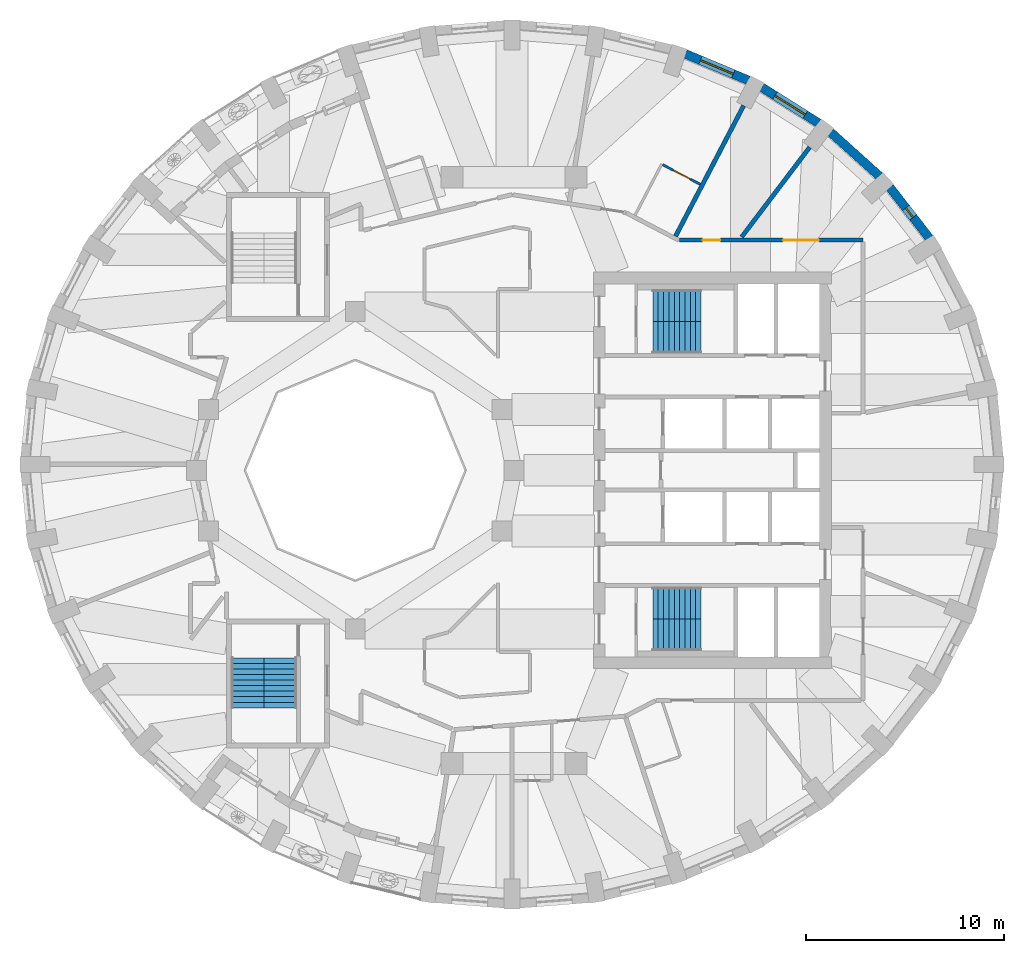
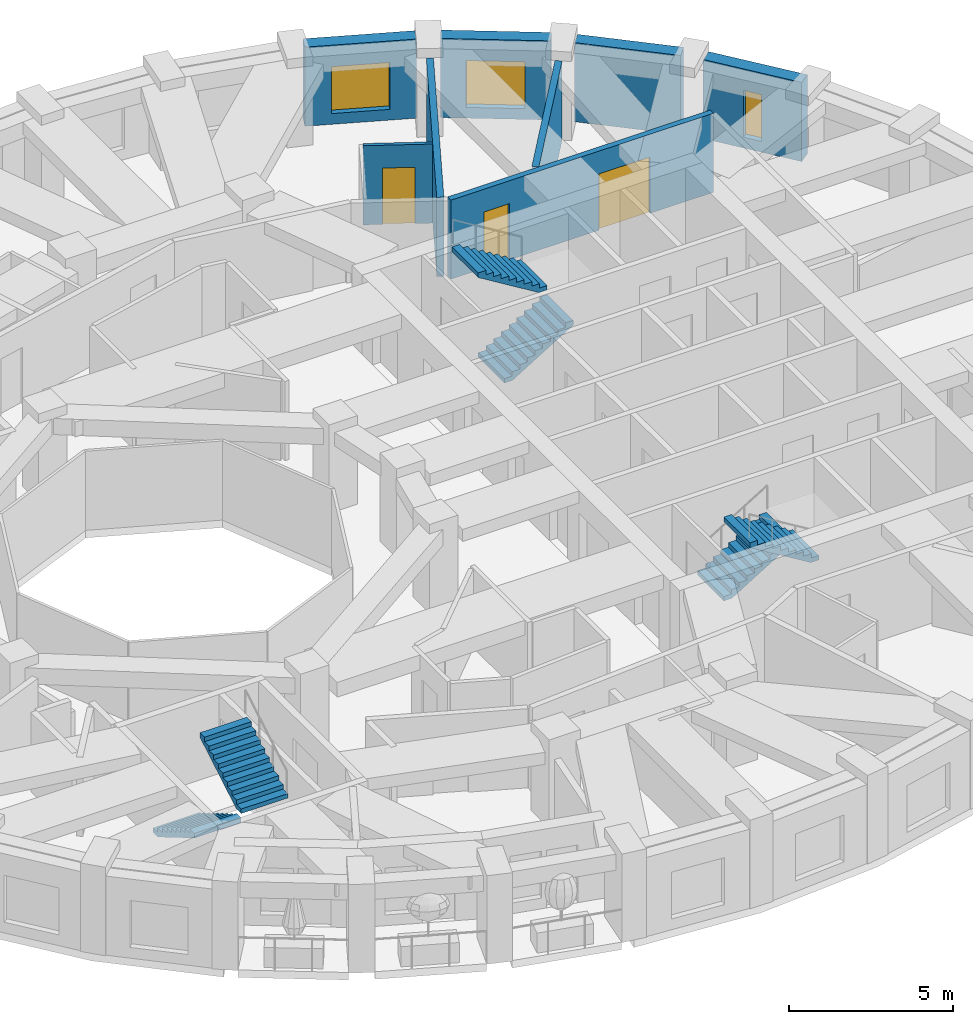
# One storey, part 8 of 12: 8 walls, 6 stair flights, 3 doors, 3 windows, 6 openings, 3 elements without a shape of their own.
"""IFC4 building model written with IfcOpenShell, lengths in metres."""

import ifcopenshell
import ifcopenshell.guid

model = None  # the IFC model being written
_history = None  # IfcOwnerHistory: only IFC2X3 demands one
_inside = {}  # id of a spatial element -> (the spatial element, [elements in it])
_under = {}  # id of a project, library or spatial element -> (it, [spatial elements below it])
_declared = {}  # id of a project -> (the project, [libraries it declares])
_typed = {}  # id of a type object -> (the type object, [elements of that type])
_made_of = {}  # id of a material, layer set ... -> (it, [elements and type objects made of it])


def new_model(schema):
    """Start an empty IFC model of exactly this schema.

    Asked for "IFC4X3", IfcOpenShell would pick the latest addendum, in which some entities
    have other attributes; the version numbers below select the first issue.
    IFC2X3 requires an IfcOwnerHistory on every rooted entity: one is made here for all.
    """
    global model, _history
    if schema == "IFC4X3":
        model = ifcopenshell.file(schema_version=(4, 3, 0, 0))
    else:
        model = ifcopenshell.file(schema=schema)
    _inside.clear()
    _under.clear()
    _declared.clear()
    _typed.clear()
    _made_of.clear()
    _history = None
    if model.schema == "IFC2X3":
        org = make("IfcOrganization", Name="unknown")
        user = make(
            "IfcPersonAndOrganization",
            ThePerson=make("IfcPerson", FamilyName="unknown"),
            TheOrganization=org,
        )
        app = make(
            "IfcApplication",
            ApplicationDeveloper=org,
            Version="unknown",
            ApplicationFullName="unknown",
            ApplicationIdentifier="unknown",
        )
        _history = make(
            "IfcOwnerHistory",
            OwningUser=user,
            OwningApplication=app,
            ChangeAction="ADDED",
            CreationDate=0,
        )
    return model


def make(cls, **values):
    """One entity of the class cls with the attributes given. An attribute that is None is left unset."""
    return model.create_entity(
        cls, **{name: value for name, value in values.items() if value is not None}
    )


def rooted(cls, **values):
    """An entity with a GlobalId (a new one), such as an element, a storey or a relation."""
    return make(cls, GlobalId=ifcopenshell.guid.new(), OwnerHistory=_history, **values)


def si_unit(unit_type, name, prefix=None):
    """IfcSIUnit, for example si_unit("LENGTHUNIT", "METRE", prefix="MILLI")."""
    return make("IfcSIUnit", UnitType=unit_type, Prefix=prefix, Name=name)


def assignment(units):
    """IfcUnitAssignment: the units of a project."""
    return None if units is None else make("IfcUnitAssignment", Units=units)


def point(xyz):
    """IfcCartesianPoint."""
    return None if xyz is None else make("IfcCartesianPoint", Coordinates=xyz)


def direction(xyz):
    """IfcDirection."""
    return None if xyz is None else make("IfcDirection", DirectionRatios=xyz)


def frame(location, z_axis=None, x_axis=None):
    """IfcAxis2Placement3D, a coordinate frame: its origin and axes. An axis left out is left unset."""
    return make(
        "IfcAxis2Placement3D",
        Location=point(location),
        Axis=direction(z_axis),
        RefDirection=direction(x_axis),
    )


def frame_2d(location, x_axis=None):
    """IfcAxis2Placement2D, a coordinate frame in the plane: its origin and x axis."""
    return make(
        "IfcAxis2Placement2D", Location=point(location), RefDirection=direction(x_axis)
    )


def origin():
    """The frame at (0, 0, 0) with its axes left unset."""
    return frame((0.0, 0.0, 0.0))


def place(relative_to, where):
    """IfcLocalPlacement: puts the frame where relative to a parent placement (None: the world)."""
    return make(
        "IfcLocalPlacement", PlacementRelTo=relative_to, RelativePlacement=where
    )


def context(
    kind, dimensions, precision=None, world=None, true_north=None, identifier=None
):
    """IfcGeometricRepresentationContext, for example the 3D "Model" context."""
    return make(
        "IfcGeometricRepresentationContext",
        ContextIdentifier=identifier,
        ContextType=kind,
        CoordinateSpaceDimension=dimensions,
        Precision=precision,
        WorldCoordinateSystem=world,
        TrueNorth=true_north,
    )


def subcontext(parent, identifier, kind, view, scale=None):
    """IfcGeometricRepresentationSubContext, for example "Body" below "Model"."""
    return make(
        "IfcGeometricRepresentationSubContext",
        ContextIdentifier=identifier,
        ContextType=kind,
        ParentContext=parent,
        TargetScale=scale,
        TargetView=view,
    )


def project(units=None, contexts=None):
    """IfcProject with its units and contexts."""
    return rooted(
        "IfcProject",
        Name="project",
        RepresentationContexts=contexts,
        UnitsInContext=assignment(units),
    )


def spatial(cls, under=None, at=None, **own):
    """A site, building, storey or space (cls), placed at a placement, below another one or the project."""
    s = rooted(cls, ObjectPlacement=at, **own)
    if under is not None:
        _under.setdefault(under.id(), (under, []))[1].append(s)
    return s


def polyline(points):
    """IfcPolyline through the points."""
    return make("IfcPolyline", Points=[point(p) for p in points])


def profile(cls, at=None, kind="AREA", **sizes):
    """A parametric profile (cls). Its sizes go by their IFC names, for example OverallWidth=200.0."""
    return make(cls, ProfileType=kind, Position=at, **sizes)


def rectangle(**sizes):
    """IfcRectangleProfileDef."""
    return profile("IfcRectangleProfileDef", **sizes)


def outline(outer, holes=None, kind="AREA"):
    """IfcArbitraryClosedProfileDef: a profile drawn as a closed curve; with holes, ...WithVoids."""
    if holes is None:
        return make("IfcArbitraryClosedProfileDef", ProfileType=kind, OuterCurve=outer)
    return make(
        "IfcArbitraryProfileDefWithVoids",
        ProfileType=kind,
        OuterCurve=outer,
        InnerCurves=holes,
    )


def extrude(swept, where, along, depth):
    """IfcExtrudedAreaSolid: the profile swept, set in the frame where, extruded along a direction by depth."""
    return make(
        "IfcExtrudedAreaSolid",
        SweptArea=swept,
        Position=where,
        ExtrudedDirection=direction(along),
        Depth=depth,
    )


def shape(context_of_items, identifier, shape_type, items):
    """IfcShapeRepresentation: the items that make up one representation, for example the "Body"."""
    return make(
        "IfcShapeRepresentation",
        ContextOfItems=context_of_items,
        RepresentationIdentifier=identifier,
        RepresentationType=shape_type,
        Items=items,
    )


def material(Name=None, Category=None):
    """IfcMaterial."""
    return make("IfcMaterial", Name=Name, Category=Category)


def layer(
    of_material, thickness, ventilated=None, Name=None, Category=None, Priority=None
):
    """IfcMaterialLayer: one layer of a wall or slab, of a material (None: an air gap)."""
    return make(
        "IfcMaterialLayer",
        Material=of_material,
        LayerThickness=thickness,
        IsVentilated=ventilated,
        Name=Name,
        Category=Category,
        Priority=Priority,
    )


def layer_set(layers, Name=None):
    """IfcMaterialLayerSet."""
    return make("IfcMaterialLayerSet", MaterialLayers=layers, LayerSetName=Name)


def made_of(thing, what):
    """Note that an element or type object is made of a material, layer set ...; save() writes the relation."""
    if what is not None:
        _made_of.setdefault(what.id(), (what, []))[1].append(thing)
    return thing


def type_object(cls, material=None, **own):
    """A type object (cls), such as IfcWallType, which elements share."""
    return made_of(rooted(cls, **own), material)


def element(
    cls,
    number,
    at=None,
    inside=None,
    cuts=None,
    type_object=None,
    material=None,
    context=None,
    identifier="Body",
    shape_type=None,
    held_by="IfcProductDefinitionShape",
    body=None,
    shapes=None,
    **own,
):
    """One element of the class cls, such as IfcWall. Its Tag is "e" and its number.

    at: its placement. inside: the storey or other place that contains it. cuts: it is an
    opening in that element (IfcRelVoidsElement). A single representation is given by context,
    identifier, shape_type and body (its items); several are given by shapes. held_by: the class
    of the entity that holds the representations. save() writes the other relations.
    """
    e = rooted(cls, Tag="e%d" % number, ObjectPlacement=at, **own)
    if body is not None:
        shapes = [shape(context, identifier, shape_type, body)]
    if shapes is not None:
        e.Representation = make(held_by, Representations=shapes)
    if inside is not None:
        _inside.setdefault(inside.id(), (inside, []))[1].append(e)
    if cuts is not None:
        rooted(
            "IfcRelVoidsElement", RelatingBuildingElement=cuts, RelatedOpeningElement=e
        )
    if type_object is not None:
        _typed.setdefault(type_object.id(), (type_object, []))[1].append(e)
    return made_of(e, material)


def fill(opening, filler):
    """IfcRelFillsElement: the door or window that sits in an opening."""
    return rooted(
        "IfcRelFillsElement",
        RelatingOpeningElement=opening,
        RelatedBuildingElement=filler,
    )


def aggregate(whole, parts):
    """IfcRelAggregates: a whole, such as a stair, and the parts it consists of."""
    return rooted("IfcRelAggregates", RelatingObject=whole, RelatedObjects=parts)


def save(model, path):
    """Write the relations noted so far, then the file.

    IfcRelAggregates (storeys below a building ...), IfcRelContainedInSpatialStructure (elements
    in a storey), IfcRelDefinesByType, IfcRelAssociatesMaterial and IfcRelDeclares: one each for
    every whole, place, type object, material and project.
    """
    for whole, parts in _under.values():
        aggregate(whole, parts)
    for where, things in _inside.values():
        rooted(
            "IfcRelContainedInSpatialStructure",
            RelatedElements=things,
            RelatingStructure=where,
        )
    for kind, things in _typed.values():
        rooted("IfcRelDefinesByType", RelatedObjects=things, RelatingType=kind)
    for what, things in _made_of.values():
        rooted("IfcRelAssociatesMaterial", RelatedObjects=things, RelatingMaterial=what)
    for by, libraries in _declared.values():
        rooted("IfcRelDeclares", RelatingContext=by, RelatedDefinitions=libraries)
    model.write(path)


model = new_model("IFC4")

# Units and contexts
model_context = context("Model", 3, precision=1e-05, world=origin(), true_north=direction((0.0, 1.0)))
body_context = subcontext(model_context, "Body", "Model", "MODEL_VIEW")
ifc_project = project(units=[si_unit("LENGTHUNIT", "METRE"), si_unit("AREAUNIT", "SQUARE_METRE"), si_unit("VOLUMEUNIT", "CUBIC_METRE"), si_unit("PLANEANGLEUNIT", "RADIAN"), si_unit("MASSUNIT", "GRAM", prefix="KILO")], contexts=[model_context])

# Site, building, storey
site_placement = place(None, origin())
site = spatial("IfcSite", under=ifc_project, at=site_placement, CompositionType="ELEMENT")
building_placement = place(site_placement, origin())
building = spatial("IfcBuilding", under=site, at=building_placement, Name="Taillehof Tower", CompositionType="ELEMENT")
storey_placement = place(building_placement, frame((0.0, 0.0, 256.39990234375)))
storey = spatial("IfcBuildingStorey", under=building, at=storey_placement, Name="L73", CompositionType="ELEMENT", Elevation=256.39990234375)

# Wall, opening, window
ifc_material_1 = material(Name="Brick masonry", Category="masonry")
ifc_layer_1 = layer(ifc_material_1, 0.449951171875)
ifc_layer_set_1 = layer_set([ifc_layer_1], Name="Brick infill wall 450")
wall_type_1 = type_object("IfcWallType", Name="Brick infill wall 450", PredefinedType="SOLIDWALL", material=ifc_layer_set_1)
wall_1_placement = place(storey_placement, frame((20.93505859375, 11.70849609375, 0.0), z_axis=(0.0, 0.0, 1.0), x_axis=(-0.613862536705, 0.789412937587, 0.0)))
wall_1 = element("IfcWall", 1, at=wall_1_placement, inside=storey, type_object=wall_type_1, Name="Brick wall L73 bay 4", PredefinedType="SOLIDWALL", context=body_context, shape_type="SweptSolid", body=[
    extrude(rectangle(XDim=3.247314453125, YDim=0.449951171875, at=frame_2d((1.62353515625, 0.0))), origin(), (0.0, 0.0, 1.0), 2.9501953125),
])
opening_1_placement = place(wall_1_placement, frame((1.32373046875, 0.0, 0.39990234375)))
opening_1 = element("IfcOpeningElement", 2, at=opening_1_placement, cuts=wall_1, Name="Opening W6", PredefinedType="OPENING", context=body_context, shape_type="SweptSolid", body=[
    extrude(rectangle(XDim=0.60009765625, YDim=1.75, at=frame_2d((0.300048828125, 0.875))), frame((0.0, 0.23486328125, 0.0), z_axis=(0.0, -1.0, 0.0), x_axis=(1.0, 0.0, 0.0)), (0.0, 0.0, 1.0), 0.469970703125),
])
ifc_material_2 = material(Name="Aluminium window frame with clear double glazing", Category="aluminium")
window_type_1 = type_object("IfcWindowType", Name="Slot window 600x1750", PartitioningType="SINGLE_PANEL", PredefinedType="WINDOW", material=ifc_material_2)
window_1_placement = place(opening_1_placement, origin())
window_1 = element("IfcWindow", 3, at=window_1_placement, inside=storey, type_object=window_type_1, Name="W6", OverallHeight=1.75, OverallWidth=0.60009765625, PartitioningType="SINGLE_PANEL", PredefinedType="WINDOW", context=body_context, shape_type="SweptSolid", body=[
    extrude(rectangle(XDim=0.60009765625, YDim=1.75, at=frame_2d((0.300048828125, 0.875))), frame((0.0, 0.034912109375, 0.0), z_axis=(0.0, -1.0, 0.0), x_axis=(1.0, 0.0, 0.0)), (0.0, 0.0, 1.0), 0.06005859375),
])
fill(opening_1, window_1)

# Wall
wall_2_placement = place(storey_placement, frame((18.423828125, 14.828369140625, 0.0), z_axis=(0.0, 0.0, 1.0), x_axis=(-0.743166014219, 0.669107073128, 0.0)))
element("IfcWall", 4, at=wall_2_placement, inside=storey, type_object=wall_type_1, Name="Brick wall L73 bay 5", PredefinedType="SOLIDWALL", context=body_context, shape_type="SweptSolid", body=[
    extrude(rectangle(XDim=3.31640625, YDim=0.449951171875, at=frame_2d((1.658203125, 0.0))), origin(), (0.0, 0.0, 1.0), 2.9501953125),
])

# Wall, opening, window
wall_3_placement = place(storey_placement, frame((15.35302734375, 17.506103515625, 0.0), z_axis=(0.0, 0.0, 1.0), x_axis=(-0.845929139811, 0.53329531258, 0.0)))
wall_3 = element("IfcWall", 5, at=wall_3_placement, inside=storey, type_object=wall_type_1, Name="Brick wall L73 bay 6", PredefinedType="SOLIDWALL", context=body_context, shape_type="SweptSolid", body=[
    extrude(rectangle(XDim=3.384521484375, YDim=0.449951171875, at=frame_2d((1.6923828125, 0.0))), origin(), (0.0, 0.0, 1.0), 2.9501953125),
])
opening_2_placement = place(wall_3_placement, frame((0.792236328125, 0.0, 0.39990234375)))
opening_2 = element("IfcOpeningElement", 6, at=opening_2_placement, cuts=wall_3, Name="Opening W4", PredefinedType="OPENING", context=body_context, shape_type="SweptSolid", body=[
    extrude(rectangle(XDim=1.800048828125, YDim=1.75, at=frame_2d((0.89990234375, 0.875))), frame((0.0, 0.23486328125, 0.0), z_axis=(0.0, -1.0, 0.0), x_axis=(1.0, 0.0, 0.0)), (0.0, 0.0, 1.0), 0.469970703125),
])
ifc_material_3 = material(Name="Aluminium window frame with clear double glazing", Category="aluminium")
window_type_2 = type_object("IfcWindowType", Name="Deep-set window 1800x1750", PartitioningType="SINGLE_PANEL", PredefinedType="WINDOW", material=ifc_material_3)
window_2_placement = place(opening_2_placement, origin())
window_2 = element("IfcWindow", 7, at=window_2_placement, inside=storey, type_object=window_type_2, Name="W4", OverallHeight=1.75, OverallWidth=1.800048828125, PartitioningType="SINGLE_PANEL", PredefinedType="WINDOW", context=body_context, shape_type="SweptSolid", body=[
    extrude(rectangle(XDim=1.800048828125, YDim=1.75, at=frame_2d((0.89990234375, 0.875))), frame((0.0, 0.034912109375, 0.0), z_axis=(0.0, -1.0, 0.0), x_axis=(1.0, 0.0, 0.0)), (0.0, 0.0, 1.0), 0.06005859375),
])
fill(opening_2, window_2)

wall_4_placement = place(storey_placement, frame((11.815673828125, 19.661865234375, 0.0), z_axis=(0.0, 0.0, 1.0), x_axis=(-0.922024627475, 0.387131226239, 0.0)))
wall_4 = element("IfcWall", 8, at=wall_4_placement, inside=storey, type_object=wall_type_1, Name="Brick wall L73 bay 7", PredefinedType="SOLIDWALL", context=body_context, shape_type="SweptSolid", body=[
    extrude(rectangle(XDim=3.443359375, YDim=0.449951171875, at=frame_2d((1.7216796875, 0.0))), origin(), (0.0, 0.0, 1.0), 2.9501953125),
])
opening_3_placement = place(wall_4_placement, frame((0.82177734375, 0.0, 0.39990234375)))
opening_3 = element("IfcOpeningElement", 9, at=opening_3_placement, cuts=wall_4, Name="Opening W4", PredefinedType="OPENING", context=body_context, shape_type="SweptSolid", body=[
    extrude(rectangle(XDim=1.800048828125, YDim=1.75, at=frame_2d((0.89990234375, 0.875))), frame((0.0, 0.23486328125, 0.0), z_axis=(0.0, -1.0, 0.0), x_axis=(1.0, 0.0, 0.0)), (0.0, 0.0, 1.0), 0.469970703125),
])
window_3_placement = place(opening_3_placement, origin())
window_3 = element("IfcWindow", 10, at=window_3_placement, inside=storey, type_object=window_type_2, Name="W4", OverallHeight=1.75, OverallWidth=1.800048828125, PartitioningType="SINGLE_PANEL", PredefinedType="WINDOW", context=body_context, shape_type="SweptSolid", body=[
    extrude(rectangle(XDim=1.800048828125, YDim=1.75, at=frame_2d((0.89990234375, 0.875))), frame((0.0, 0.034912109375, 0.0), z_axis=(0.0, -1.0, 0.0), x_axis=(1.0, 0.0, 0.0)), (0.0, 0.0, 1.0), 0.06005859375),
])
fill(opening_3, window_3)

# Wall, openings, doors
ifc_material_4 = material(Name="Gypsum board on steel studs, two layers each side", Category="steel")
ifc_layer_2 = layer(ifc_material_4, 0.199951171875)
ifc_layer_set_2 = layer_set([ifc_layer_2], Name="Compartment wall corridor 200")
wall_type_2 = type_object("IfcWallType", Name="Compartment wall corridor 200", PredefinedType="PARTITIONING", material=ifc_layer_set_2)
wall_5_placement = place(storey_placement, frame((8.34619140625, 11.60009765625, 0.0), z_axis=(0.0, 0.0, 1.0), x_axis=(1.0, 0.0, 0.0)))
wall_5 = element("IfcWall", 11, at=wall_5_placement, inside=storey, type_object=wall_type_2, Name="Compartment wall", PredefinedType="PARTITIONING", context=body_context, shape_type="SweptSolid", body=[
    extrude(rectangle(XDim=9.25390625, YDim=0.199951171875, at=frame_2d((4.626953125, 0.0))), origin(), (0.0, 0.0, 1.0), 2.9501953125),
])
opening_4_placement = place(wall_5_placement, frame((1.162353515625, 0.0, 0.0)))
opening_4 = element("IfcOpeningElement", 12, at=opening_4_placement, cuts=wall_5, Name="Opening D7340", PredefinedType="OPENING", context=body_context, shape_type="SweptSolid", body=[
    extrude(rectangle(XDim=0.89990234375, YDim=2.10009765625, at=frame_2d((0.449951171875, 1.050048828125))), frame((0.0, 0.10986328125, 0.0), z_axis=(0.0, -1.0, 0.0), x_axis=(1.0, 0.0, 0.0)), (0.0, 0.0, 1.0), 0.219970703125),
])
opening_5_placement = place(wall_5_placement, frame((5.224365234375, 0.0, 0.0)))
opening_5 = element("IfcOpeningElement", 13, at=opening_5_placement, cuts=wall_5, Name="Opening D7358", PredefinedType="OPENING", context=body_context, shape_type="SweptSolid", body=[
    extrude(rectangle(XDim=1.800048828125, YDim=2.10009765625, at=frame_2d((0.89990234375, 1.050048828125))), frame((0.0, 0.10986328125, 0.0), z_axis=(0.0, -1.0, 0.0), x_axis=(1.0, 0.0, 0.0)), (0.0, 0.0, 1.0), 0.219970703125),
])
ifc_material_5 = material(Name="Timber door leaf in steel frame", Category="steel")
door_type_1 = type_object("IfcDoorType", Name="Lounge and meeting room double door EI 30 1800 x 2100", OperationType="SINGLE_SWING_LEFT", PredefinedType="DOOR", material=ifc_material_5)
door_1_placement = place(opening_5_placement, origin())
door_1 = element("IfcDoor", 14, at=door_1_placement, inside=storey, type_object=door_type_1, Name="D7358", OperationType="DOUBLE_DOOR_SINGLE_SWING", OverallHeight=2.10009765625, OverallWidth=1.800048828125, PredefinedType="DOOR", context=body_context, shape_type="SweptSolid", body=[
    extrude(rectangle(XDim=1.800048828125, YDim=2.10009765625, at=frame_2d((0.89990234375, 1.050048828125))), frame((0.0, 0.02490234375, 0.0), z_axis=(0.0, -1.0, 0.0), x_axis=(1.0, 0.0, 0.0)), (0.0, 0.0, 1.0), 0.050048828125),
])
fill(opening_5, door_1)
ifc_material_6 = material(Name="Timber door leaf in steel frame", Category="steel")
door_type_2 = type_object("IfcDoorType", Name="Service room door EI 30 900 x 2100", OperationType="SINGLE_SWING_LEFT", PredefinedType="DOOR", material=ifc_material_6)
door_2_placement = place(opening_4_placement, origin())
door_2 = element("IfcDoor", 15, at=door_2_placement, inside=storey, type_object=door_type_2, Name="D7340", OperationType="SINGLE_SWING_RIGHT", OverallHeight=2.10009765625, OverallWidth=0.89990234375, PredefinedType="DOOR", context=body_context, shape_type="SweptSolid", body=[
    extrude(rectangle(XDim=0.89990234375, YDim=2.10009765625, at=frame_2d((0.449951171875, 1.050048828125))), frame((0.0, 0.02490234375, 0.0), z_axis=(0.0, -1.0, 0.0), x_axis=(1.0, 0.0, 0.0)), (0.0, 0.0, 1.0), 0.050048828125),
])
fill(opening_4, door_2)

# Walls
ifc_material_7 = material(Name="Gypsum board on double steel studs with mineral wool", Category="steel")
ifc_layer_3 = layer(ifc_material_7, 0.219970703125)
ifc_layer_set_3 = layer_set([ifc_layer_3], Name="Compartment wall guest room 220")
wall_type_3 = type_object("IfcWallType", Name="Compartment wall guest room 220", PredefinedType="PARTITIONING", material=ifc_layer_set_3)
wall_6_placement = place(storey_placement, frame((14.906005859375, 16.287109375, 0.0), z_axis=(0.0, 0.0, 1.0), x_axis=(-0.604066355306, -0.796934023861, 0.0)))
element("IfcWall", 16, at=wall_6_placement, inside=storey, type_object=wall_type_3, Name="Compartment wall", PredefinedType="PARTITIONING", context=body_context, shape_type="SweptSolid", body=[
    extrude(rectangle(XDim=5.676025390625, YDim=0.219970703125, at=frame_2d((2.837890625, 0.0))), origin(), (0.0, 0.0, 1.0), 2.9501953125),
])
wall_7_placement = place(storey_placement, frame((11.578125, 18.384521484375, 0.0), z_axis=(0.0, 0.0, 1.0), x_axis=(-0.462371689287, -0.886686202073, 0.0)))
element("IfcWall", 17, at=wall_7_placement, inside=storey, type_object=wall_type_3, Name="Compartment wall", PredefinedType="PARTITIONING", context=body_context, shape_type="SweptSolid", body=[
    extrude(rectangle(XDim=7.4287109375, YDim=0.219970703125, at=frame_2d((3.71435546875, 0.0))), origin(), (0.0, 0.0, 1.0), 2.9501953125),
])

# Wall, opening, door
ifc_material_8 = material(Name="Gypsum board on steel studs, moisture resistant", Category="steel")
ifc_layer_4 = layer(ifc_material_8, 0.1201171875)
ifc_layer_set_4 = layer_set([ifc_layer_4], Name="En-suite wall 120")
wall_type_4 = type_object("IfcWallType", Name="En-suite wall 120", PredefinedType="PARTITIONING", material=ifc_layer_set_4)
wall_8_placement = place(storey_placement, frame((7.498046875, 15.404541015625, 0.0), z_axis=(0.0, 0.0, 1.0), x_axis=(0.886662502683, -0.46241713456, 0.0)))
wall_8 = element("IfcWall", 18, at=wall_8_placement, inside=storey, type_object=wall_type_4, Name="En-suite wall", PredefinedType="PARTITIONING", context=body_context, shape_type="SweptSolid", body=[
    extrude(rectangle(XDim=2.1298828125, YDim=0.1201171875, at=frame_2d((1.06494140625, 0.0))), origin(), (0.0, 0.0, 1.0), 2.9501953125),
])
opening_6_placement = place(wall_8_placement, frame((0.58984375, 0.0, 0.0)))
opening_6 = element("IfcOpeningElement", 19, at=opening_6_placement, cuts=wall_8, Name="Opening D7342", PredefinedType="OPENING", context=body_context, shape_type="SweptSolid", body=[
    extrude(rectangle(XDim=1.0, YDim=2.10009765625, at=frame_2d((0.5, 1.050048828125))), frame((0.0, 0.070068359375, 0.0), z_axis=(0.0, -1.0, 0.0), x_axis=(1.0, 0.0, 0.0)), (0.0, 0.0, 1.0), 0.14013671875),
])
ifc_material_9 = material(Name="Timber door leaf in steel frame", Category="steel")
door_type_3 = type_object("IfcDoorType", Name="Accessible en-suite door 1000 x 2100", OperationType="SINGLE_SWING_LEFT", PredefinedType="DOOR", material=ifc_material_9)
door_3_placement = place(opening_6_placement, origin())
door_3 = element("IfcDoor", 20, at=door_3_placement, inside=storey, type_object=door_type_3, Name="D7342", OperationType="SINGLE_SWING_RIGHT", OverallHeight=2.10009765625, OverallWidth=1.0, PredefinedType="DOOR", context=body_context, shape_type="SweptSolid", body=[
    extrude(rectangle(XDim=1.0, YDim=2.10009765625, at=frame_2d((0.5, 1.050048828125))), frame((0.0, 0.02490234375, 0.0), z_axis=(0.0, -1.0, 0.0), x_axis=(1.0, 0.0, 0.0)), (0.0, 0.0, 1.0), 0.050048828125),
])
fill(opening_6, door_3)

# Stair, stair flights
ifc_material_10 = material(Name="Concrete C40/50", Category="concrete")
stair_type = type_object("IfcStairType", Name="Exit stair half-turn", PredefinedType="HALF_TURN_STAIR", material=ifc_material_10)
stair_1_placement = place(storey_placement, origin())
stair_1 = element("IfcStair", 21, at=stair_1_placement, inside=storey, type_object=stair_type, Name="Exit stair S1", PredefinedType="HALF_TURN_STAIR")
ifc_material_11 = material(Name="Concrete C40/50", Category="concrete")
stair_flight_type_1 = type_object("IfcStairFlightType", Name="Stair flight 1600 riser 165.0 going 270", PredefinedType="STRAIGHT", material=ifc_material_11)
stair_flight_1_placement = place(storey_placement, frame((7.0, 6.699951171875, 0.0), z_axis=(0.0, 0.0, 1.0), x_axis=(1.0, 0.0, 0.0)))
stair_flight_1 = element("IfcStairFlight", 22, at=stair_flight_1_placement, type_object=stair_flight_type_1, Name="S1 flight 1", NumberOfRisers=10, NumberOfTreads=9, PredefinedType="STRAIGHT", RiserHeight=0.165, TreadLength=0.27, context=body_context, shape_type="SweptSolid", body=[
    extrude(outline(polyline([(0.0, 0.0), (0.0, 0.00537109375), (0.0, 0.0107421875), (0.0, 0.015869140625), (0.0, 0.021240234375), (0.0, 0.026611328125), (0.0, 0.031982421875), (0.0, 0.037353515625), (0.0, 0.04248046875), (0.0, 0.0478515625), (0.0, 0.05322265625), (0.0, 0.05859375), (0.0, 0.06396484375), (0.0, 0.069091796875), (0.0, 0.074462890625), (0.0, 0.079833984375), (0.0, 0.085205078125), (0.0, 0.090576171875), (0.0, 0.095703125), (0.0, 0.10107421875), (0.0, 0.1064453125), (0.0, 0.11181640625), (0.0, 0.1171875), (0.0, 0.122314453125), (0.0, 0.127685546875), (0.0, 0.133056640625), (0.0, 0.138427734375), (0.0, 0.143798828125), (0.0, 0.14892578125), (0.0, 0.154296875), (0.0, 0.15966796875), (0.0, 0.1650390625), (0.27001953125, 0.1650390625), (0.27001953125, 0.330078125), (0.5400390625, 0.330078125), (0.5400390625, 0.4951171875), (0.81005859375, 0.4951171875), (0.81005859375, 0.659912109375), (1.080078125, 0.659912109375), (1.080078125, 0.824951171875), (1.35009765625, 0.824951171875), (1.35009765625, 0.989990234375), (1.6201171875, 0.989990234375), (1.6201171875, 1.155029296875), (1.889892578125, 1.155029296875), (1.889892578125, 1.320068359375), (2.159912109375, 1.320068359375), (2.159912109375, 1.485107421875), (2.429931640625, 1.485107421875), (2.429931640625, 1.479248046875), (2.429931640625, 1.4736328125), (2.429931640625, 1.468017578125), (2.429931640625, 1.46240234375), (2.429931640625, 1.45654296875), (2.429931640625, 1.450927734375), (2.429931640625, 1.4453125), (2.429931640625, 1.439697265625), (2.429931640625, 1.43408203125), (2.429931640625, 1.42822265625), (2.429931640625, 1.422607421875), (2.429931640625, 1.4169921875), (2.429931640625, 1.411376953125), (2.429931640625, 1.40576171875), (2.429931640625, 1.39990234375), (2.429931640625, 1.394287109375), (2.429931640625, 1.388671875), (2.429931640625, 1.383056640625), (2.429931640625, 1.37744140625), (2.429931640625, 1.37158203125), (2.429931640625, 1.365966796875), (2.429931640625, 1.3603515625), (2.429931640625, 1.354736328125), (2.429931640625, 1.348876953125), (2.429931640625, 1.34326171875), (2.429931640625, 1.337646484375), (2.429931640625, 1.33203125), (2.429931640625, 1.326416015625), (2.429931640625, 1.320556640625), (2.429931640625, 1.31494140625), (2.429931640625, 1.309326171875), (0.287353515625, 0.0), (0.0, 0.0)])), frame((0.0, 0.800048828125, 0.0), z_axis=(0.0, -1.0, 0.0), x_axis=(1.0, 0.0, 0.0)), (0.0, 0.0, 1.0), 1.6),
])
stair_flight_2_placement = place(storey_placement, frame((9.429931640625, 8.300048828125, 1.650146484375), z_axis=(0.0, 0.0, 1.0), x_axis=(-1.0, 0.0, 0.0)))
stair_flight_2 = element("IfcStairFlight", 23, at=stair_flight_2_placement, type_object=stair_flight_type_1, Name="S1 flight 2", NumberOfRisers=10, NumberOfTreads=9, PredefinedType="STRAIGHT", RiserHeight=0.165, TreadLength=0.27, context=body_context, shape_type="SweptSolid", body=[
    extrude(outline(polyline([(0.0, 0.0), (0.0, 0.00537109375), (0.0, 0.0107421875), (0.0, 0.015869140625), (0.0, 0.021240234375), (0.0, 0.026611328125), (0.0, 0.031982421875), (0.0, 0.037353515625), (0.0, 0.04248046875), (0.0, 0.0478515625), (0.0, 0.05322265625), (0.0, 0.05859375), (0.0, 0.06396484375), (0.0, 0.069091796875), (0.0, 0.074462890625), (0.0, 0.079833984375), (0.0, 0.085205078125), (0.0, 0.090576171875), (0.0, 0.095703125), (0.0, 0.10107421875), (0.0, 0.1064453125), (0.0, 0.11181640625), (0.0, 0.1171875), (0.0, 0.122314453125), (0.0, 0.127685546875), (0.0, 0.133056640625), (0.0, 0.138427734375), (0.0, 0.143798828125), (0.0, 0.14892578125), (0.0, 0.154296875), (0.0, 0.15966796875), (0.0, 0.1650390625), (0.27001953125, 0.1650390625), (0.27001953125, 0.330078125), (0.5400390625, 0.330078125), (0.5400390625, 0.4951171875), (0.81005859375, 0.4951171875), (0.81005859375, 0.659912109375), (1.080078125, 0.659912109375), (1.080078125, 0.824951171875), (1.35009765625, 0.824951171875), (1.35009765625, 0.989990234375), (1.6201171875, 0.989990234375), (1.6201171875, 1.155029296875), (1.889892578125, 1.155029296875), (1.889892578125, 1.320068359375), (2.159912109375, 1.320068359375), (2.159912109375, 1.485107421875), (2.429931640625, 1.485107421875), (2.429931640625, 1.479248046875), (2.429931640625, 1.4736328125), (2.429931640625, 1.468017578125), (2.429931640625, 1.46240234375), (2.429931640625, 1.45654296875), (2.429931640625, 1.450927734375), (2.429931640625, 1.4453125), (2.429931640625, 1.439697265625), (2.429931640625, 1.43408203125), (2.429931640625, 1.42822265625), (2.429931640625, 1.422607421875), (2.429931640625, 1.4169921875), (2.429931640625, 1.411376953125), (2.429931640625, 1.40576171875), (2.429931640625, 1.39990234375), (2.429931640625, 1.394287109375), (2.429931640625, 1.388671875), (2.429931640625, 1.383056640625), (2.429931640625, 1.37744140625), (2.429931640625, 1.37158203125), (2.429931640625, 1.365966796875), (2.429931640625, 1.3603515625), (2.429931640625, 1.354736328125), (2.429931640625, 1.348876953125), (2.429931640625, 1.34326171875), (2.429931640625, 1.337646484375), (2.429931640625, 1.33203125), (2.429931640625, 1.326416015625), (2.429931640625, 1.320556640625), (2.429931640625, 1.31494140625), (2.429931640625, 1.309326171875), (0.287353515625, 0.0), (0.0, 0.0)])), frame((0.0, 0.800048828125, 0.0), z_axis=(0.0, -1.0, 0.0), x_axis=(1.0, 0.0, 0.0)), (0.0, 0.0, 1.0), 1.6),
])
aggregate(stair_1, [stair_flight_1, stair_flight_2])

stair_2_placement = place(storey_placement, origin())
stair_2 = element("IfcStair", 24, at=stair_2_placement, inside=storey, type_object=stair_type, Name="Exit stair S2", PredefinedType="HALF_TURN_STAIR")
stair_flight_3_placement = place(storey_placement, frame((7.0, -6.699951171875, 0.0), z_axis=(0.0, 0.0, 1.0), x_axis=(1.0, 0.0, 0.0)))
stair_flight_3 = element("IfcStairFlight", 25, at=stair_flight_3_placement, type_object=stair_flight_type_1, Name="S2 flight 1", NumberOfRisers=10, NumberOfTreads=9, PredefinedType="STRAIGHT", RiserHeight=0.165, TreadLength=0.27, context=body_context, shape_type="SweptSolid", body=[
    extrude(outline(polyline([(0.0, 0.0), (0.0, 0.00537109375), (0.0, 0.0107421875), (0.0, 0.015869140625), (0.0, 0.021240234375), (0.0, 0.026611328125), (0.0, 0.031982421875), (0.0, 0.037353515625), (0.0, 0.04248046875), (0.0, 0.0478515625), (0.0, 0.05322265625), (0.0, 0.05859375), (0.0, 0.06396484375), (0.0, 0.069091796875), (0.0, 0.074462890625), (0.0, 0.079833984375), (0.0, 0.085205078125), (0.0, 0.090576171875), (0.0, 0.095703125), (0.0, 0.10107421875), (0.0, 0.1064453125), (0.0, 0.11181640625), (0.0, 0.1171875), (0.0, 0.122314453125), (0.0, 0.127685546875), (0.0, 0.133056640625), (0.0, 0.138427734375), (0.0, 0.143798828125), (0.0, 0.14892578125), (0.0, 0.154296875), (0.0, 0.15966796875), (0.0, 0.1650390625), (0.27001953125, 0.1650390625), (0.27001953125, 0.330078125), (0.5400390625, 0.330078125), (0.5400390625, 0.4951171875), (0.81005859375, 0.4951171875), (0.81005859375, 0.659912109375), (1.080078125, 0.659912109375), (1.080078125, 0.824951171875), (1.35009765625, 0.824951171875), (1.35009765625, 0.989990234375), (1.6201171875, 0.989990234375), (1.6201171875, 1.155029296875), (1.889892578125, 1.155029296875), (1.889892578125, 1.320068359375), (2.159912109375, 1.320068359375), (2.159912109375, 1.485107421875), (2.429931640625, 1.485107421875), (2.429931640625, 1.479248046875), (2.429931640625, 1.4736328125), (2.429931640625, 1.468017578125), (2.429931640625, 1.46240234375), (2.429931640625, 1.45654296875), (2.429931640625, 1.450927734375), (2.429931640625, 1.4453125), (2.429931640625, 1.439697265625), (2.429931640625, 1.43408203125), (2.429931640625, 1.42822265625), (2.429931640625, 1.422607421875), (2.429931640625, 1.4169921875), (2.429931640625, 1.411376953125), (2.429931640625, 1.40576171875), (2.429931640625, 1.39990234375), (2.429931640625, 1.394287109375), (2.429931640625, 1.388671875), (2.429931640625, 1.383056640625), (2.429931640625, 1.37744140625), (2.429931640625, 1.37158203125), (2.429931640625, 1.365966796875), (2.429931640625, 1.3603515625), (2.429931640625, 1.354736328125), (2.429931640625, 1.348876953125), (2.429931640625, 1.34326171875), (2.429931640625, 1.337646484375), (2.429931640625, 1.33203125), (2.429931640625, 1.326416015625), (2.429931640625, 1.320556640625), (2.429931640625, 1.31494140625), (2.429931640625, 1.309326171875), (0.287353515625, 0.0), (0.0, 0.0)])), frame((0.0, 0.800048828125, 0.0), z_axis=(0.0, -1.0, 0.0), x_axis=(1.0, 0.0, 0.0)), (0.0, 0.0, 1.0), 1.6),
])
stair_flight_4_placement = place(storey_placement, frame((9.429931640625, -8.300048828125, 1.650146484375), z_axis=(0.0, 0.0, 1.0), x_axis=(-1.0, 0.0, 0.0)))
stair_flight_4 = element("IfcStairFlight", 26, at=stair_flight_4_placement, type_object=stair_flight_type_1, Name="S2 flight 2", NumberOfRisers=10, NumberOfTreads=9, PredefinedType="STRAIGHT", RiserHeight=0.165, TreadLength=0.27, context=body_context, shape_type="SweptSolid", body=[
    extrude(outline(polyline([(0.0, 0.0), (0.0, 0.00537109375), (0.0, 0.0107421875), (0.0, 0.015869140625), (0.0, 0.021240234375), (0.0, 0.026611328125), (0.0, 0.031982421875), (0.0, 0.037353515625), (0.0, 0.04248046875), (0.0, 0.0478515625), (0.0, 0.05322265625), (0.0, 0.05859375), (0.0, 0.06396484375), (0.0, 0.069091796875), (0.0, 0.074462890625), (0.0, 0.079833984375), (0.0, 0.085205078125), (0.0, 0.090576171875), (0.0, 0.095703125), (0.0, 0.10107421875), (0.0, 0.1064453125), (0.0, 0.11181640625), (0.0, 0.1171875), (0.0, 0.122314453125), (0.0, 0.127685546875), (0.0, 0.133056640625), (0.0, 0.138427734375), (0.0, 0.143798828125), (0.0, 0.14892578125), (0.0, 0.154296875), (0.0, 0.15966796875), (0.0, 0.1650390625), (0.27001953125, 0.1650390625), (0.27001953125, 0.330078125), (0.5400390625, 0.330078125), (0.5400390625, 0.4951171875), (0.81005859375, 0.4951171875), (0.81005859375, 0.659912109375), (1.080078125, 0.659912109375), (1.080078125, 0.824951171875), (1.35009765625, 0.824951171875), (1.35009765625, 0.989990234375), (1.6201171875, 0.989990234375), (1.6201171875, 1.155029296875), (1.889892578125, 1.155029296875), (1.889892578125, 1.320068359375), (2.159912109375, 1.320068359375), (2.159912109375, 1.485107421875), (2.429931640625, 1.485107421875), (2.429931640625, 1.479248046875), (2.429931640625, 1.4736328125), (2.429931640625, 1.468017578125), (2.429931640625, 1.46240234375), (2.429931640625, 1.45654296875), (2.429931640625, 1.450927734375), (2.429931640625, 1.4453125), (2.429931640625, 1.439697265625), (2.429931640625, 1.43408203125), (2.429931640625, 1.42822265625), (2.429931640625, 1.422607421875), (2.429931640625, 1.4169921875), (2.429931640625, 1.411376953125), (2.429931640625, 1.40576171875), (2.429931640625, 1.39990234375), (2.429931640625, 1.394287109375), (2.429931640625, 1.388671875), (2.429931640625, 1.383056640625), (2.429931640625, 1.37744140625), (2.429931640625, 1.37158203125), (2.429931640625, 1.365966796875), (2.429931640625, 1.3603515625), (2.429931640625, 1.354736328125), (2.429931640625, 1.348876953125), (2.429931640625, 1.34326171875), (2.429931640625, 1.337646484375), (2.429931640625, 1.33203125), (2.429931640625, 1.326416015625), (2.429931640625, 1.320556640625), (2.429931640625, 1.31494140625), (2.429931640625, 1.309326171875), (0.287353515625, 0.0), (0.0, 0.0)])), frame((0.0, 0.800048828125, 0.0), z_axis=(0.0, -1.0, 0.0), x_axis=(1.0, 0.0, 0.0)), (0.0, 0.0, 1.0), 1.6),
])
aggregate(stair_2, [stair_flight_3, stair_flight_4])

stair_3_placement = place(storey_placement, origin())
stair_3 = element("IfcStair", 27, at=stair_3_placement, inside=storey, type_object=stair_type, Name="Exit stair S4", PredefinedType="HALF_TURN_STAIR")
ifc_material_12 = material(Name="Concrete C40/50", Category="concrete")
stair_flight_type_2 = type_object("IfcStairFlightType", Name="Stair flight 1650 riser 165.0 going 280", PredefinedType="STRAIGHT", material=ifc_material_12)
stair_flight_5_placement = place(storey_placement, frame((-13.425048828125, -9.449951171875, 0.0), z_axis=(0.0, 0.0, 1.0), x_axis=(0.0, -1.0, 0.0)))
stair_flight_5 = element("IfcStairFlight", 28, at=stair_flight_5_placement, type_object=stair_flight_type_2, Name="S4 flight 1", NumberOfRisers=10, NumberOfTreads=9, PredefinedType="STRAIGHT", RiserHeight=0.165, TreadLength=0.28, context=body_context, shape_type="SweptSolid", body=[
    extrude(outline(polyline([(0.0, 0.0), (0.0, 0.00537109375), (0.0, 0.0107421875), (0.0, 0.015869140625), (0.0, 0.021240234375), (0.0, 0.026611328125), (0.0, 0.031982421875), (0.0, 0.037353515625), (0.0, 0.04248046875), (0.0, 0.0478515625), (0.0, 0.05322265625), (0.0, 0.05859375), (0.0, 0.06396484375), (0.0, 0.069091796875), (0.0, 0.074462890625), (0.0, 0.079833984375), (0.0, 0.085205078125), (0.0, 0.090576171875), (0.0, 0.095703125), (0.0, 0.10107421875), (0.0, 0.1064453125), (0.0, 0.11181640625), (0.0, 0.1171875), (0.0, 0.122314453125), (0.0, 0.127685546875), (0.0, 0.133056640625), (0.0, 0.138427734375), (0.0, 0.143798828125), (0.0, 0.14892578125), (0.0, 0.154296875), (0.0, 0.15966796875), (0.0, 0.1650390625), (0.280029296875, 0.1650390625), (0.280029296875, 0.330078125), (0.56005859375, 0.330078125), (0.56005859375, 0.4951171875), (0.840087890625, 0.4951171875), (0.840087890625, 0.659912109375), (1.1201171875, 0.659912109375), (1.1201171875, 0.824951171875), (1.39990234375, 0.824951171875), (1.39990234375, 0.989990234375), (1.679931640625, 0.989990234375), (1.679931640625, 1.155029296875), (1.9599609375, 1.155029296875), (1.9599609375, 1.320068359375), (2.239990234375, 1.320068359375), (2.239990234375, 1.485107421875), (2.52001953125, 1.485107421875), (2.52001953125, 1.4794921875), (2.52001953125, 1.473876953125), (2.52001953125, 1.46826171875), (2.52001953125, 1.462646484375), (2.52001953125, 1.45703125), (2.52001953125, 1.451416015625), (2.52001953125, 1.44580078125), (2.52001953125, 1.440185546875), (2.52001953125, 1.4345703125), (2.52001953125, 1.428955078125), (2.52001953125, 1.42333984375), (2.52001953125, 1.417724609375), (2.52001953125, 1.412109375), (2.52001953125, 1.406494140625), (2.52001953125, 1.40087890625), (2.52001953125, 1.395263671875), (2.52001953125, 1.3896484375), (2.52001953125, 1.384033203125), (2.52001953125, 1.37841796875), (2.52001953125, 1.372802734375), (2.52001953125, 1.3671875), (2.52001953125, 1.361572265625), (2.52001953125, 1.35595703125), (2.52001953125, 1.350341796875), (2.52001953125, 1.3447265625), (2.52001953125, 1.339111328125), (2.52001953125, 1.33349609375), (2.52001953125, 1.327880859375), (2.52001953125, 1.322265625), (2.52001953125, 1.316650390625), (2.52001953125, 1.31103515625), (0.295166015625, 0.0), (0.0, 0.0)])), frame((0.0, 0.824951171875, 0.0), z_axis=(0.0, -1.0, 0.0), x_axis=(1.0, 0.0, 0.0)), (0.0, 0.0, 1.0), 1.65),
])
stair_flight_6_placement = place(storey_placement, frame((-11.77490234375, -11.969970703125, 1.650146484375), z_axis=(0.0, 0.0, 1.0), x_axis=(0.0, 1.0, 0.0)))
stair_flight_6 = element("IfcStairFlight", 29, at=stair_flight_6_placement, type_object=stair_flight_type_2, Name="S4 flight 2", NumberOfRisers=10, NumberOfTreads=9, PredefinedType="STRAIGHT", RiserHeight=0.165, TreadLength=0.28, context=body_context, shape_type="SweptSolid", body=[
    extrude(outline(polyline([(0.0, 0.0), (0.0, 0.00537109375), (0.0, 0.0107421875), (0.0, 0.015869140625), (0.0, 0.021240234375), (0.0, 0.026611328125), (0.0, 0.031982421875), (0.0, 0.037353515625), (0.0, 0.04248046875), (0.0, 0.0478515625), (0.0, 0.05322265625), (0.0, 0.05859375), (0.0, 0.06396484375), (0.0, 0.069091796875), (0.0, 0.074462890625), (0.0, 0.079833984375), (0.0, 0.085205078125), (0.0, 0.090576171875), (0.0, 0.095703125), (0.0, 0.10107421875), (0.0, 0.1064453125), (0.0, 0.11181640625), (0.0, 0.1171875), (0.0, 0.122314453125), (0.0, 0.127685546875), (0.0, 0.133056640625), (0.0, 0.138427734375), (0.0, 0.143798828125), (0.0, 0.14892578125), (0.0, 0.154296875), (0.0, 0.15966796875), (0.0, 0.1650390625), (0.280029296875, 0.1650390625), (0.280029296875, 0.330078125), (0.56005859375, 0.330078125), (0.56005859375, 0.4951171875), (0.840087890625, 0.4951171875), (0.840087890625, 0.659912109375), (1.1201171875, 0.659912109375), (1.1201171875, 0.824951171875), (1.39990234375, 0.824951171875), (1.39990234375, 0.989990234375), (1.679931640625, 0.989990234375), (1.679931640625, 1.155029296875), (1.9599609375, 1.155029296875), (1.9599609375, 1.320068359375), (2.239990234375, 1.320068359375), (2.239990234375, 1.485107421875), (2.52001953125, 1.485107421875), (2.52001953125, 1.4794921875), (2.52001953125, 1.473876953125), (2.52001953125, 1.46826171875), (2.52001953125, 1.462646484375), (2.52001953125, 1.45703125), (2.52001953125, 1.451416015625), (2.52001953125, 1.44580078125), (2.52001953125, 1.440185546875), (2.52001953125, 1.4345703125), (2.52001953125, 1.428955078125), (2.52001953125, 1.42333984375), (2.52001953125, 1.417724609375), (2.52001953125, 1.412109375), (2.52001953125, 1.406494140625), (2.52001953125, 1.40087890625), (2.52001953125, 1.395263671875), (2.52001953125, 1.3896484375), (2.52001953125, 1.384033203125), (2.52001953125, 1.37841796875), (2.52001953125, 1.372802734375), (2.52001953125, 1.3671875), (2.52001953125, 1.361572265625), (2.52001953125, 1.35595703125), (2.52001953125, 1.350341796875), (2.52001953125, 1.3447265625), (2.52001953125, 1.339111328125), (2.52001953125, 1.33349609375), (2.52001953125, 1.327880859375), (2.52001953125, 1.322265625), (2.52001953125, 1.316650390625), (2.52001953125, 1.31103515625), (0.295166015625, 0.0), (0.0, 0.0)])), frame((0.0, 0.824951171875, 0.0), z_axis=(0.0, -1.0, 0.0), x_axis=(1.0, 0.0, 0.0)), (0.0, 0.0, 1.0), 1.65),
])
aggregate(stair_3, [stair_flight_5, stair_flight_6])

save(model, "model.ifc")
